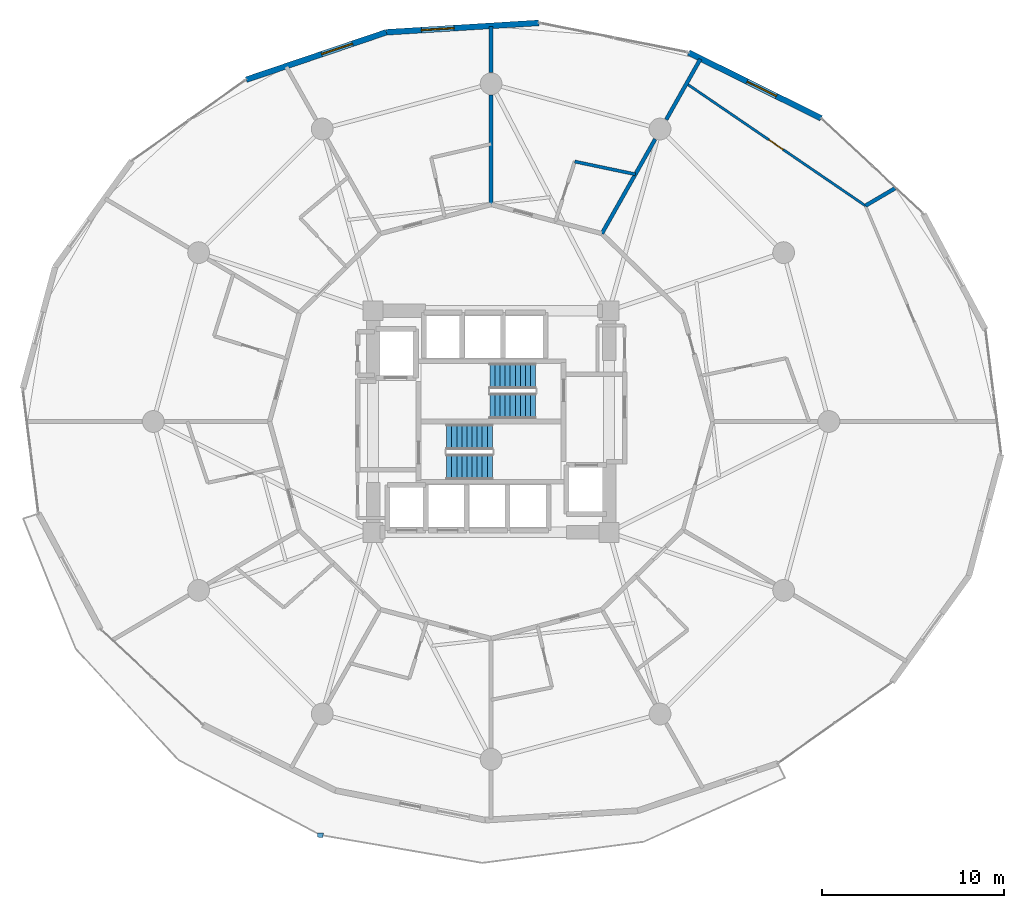
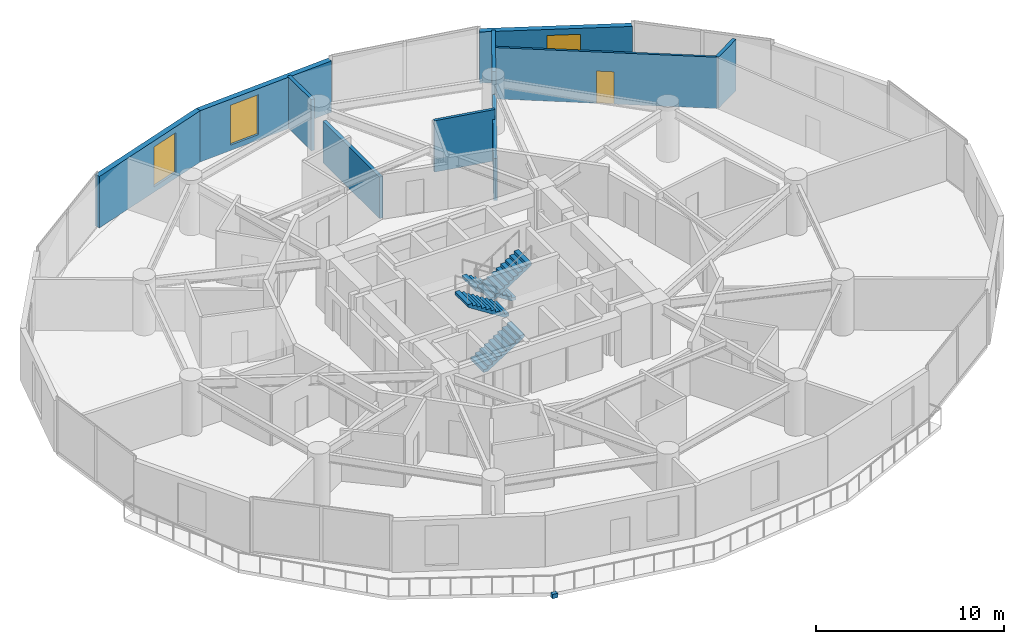
# One storey, part 23 of 26: 10 walls, 4 stair flights, 3 windows, 1 discrete accessory, 1 door, 4 openings, 2 elements without a shape of their own.
"""IFC4 building model written with IfcOpenShell, lengths in metres."""

from ifc_helpers import new_model, si_unit, direction, frame, frame_2d, origin, origin_2d, place, context, subcontext, project, spatial, polyline, rectangle, outline, extrude, material, layer, layer_set, type_object, element, fill, aggregate, save


model = new_model("IFC4")

# Units and contexts
model_context = context("Model", 3, precision=1e-05, world=origin(), true_north=direction((0.0, 1.0)))
body_context = subcontext(model_context, "Body", "Model", "MODEL_VIEW")
ifc_project = project(units=[si_unit("LENGTHUNIT", "METRE"), si_unit("AREAUNIT", "SQUARE_METRE"), si_unit("VOLUMEUNIT", "CUBIC_METRE"), si_unit("PLANEANGLEUNIT", "RADIAN"), si_unit("MASSUNIT", "GRAM", prefix="KILO")], contexts=[model_context])

# Site, building, storey
site_placement = place(None, origin())
site = spatial("IfcSite", under=ifc_project, at=site_placement, CompositionType="ELEMENT")
building_placement = place(site_placement, origin())
building = spatial("IfcBuilding", under=site, at=building_placement, Name="Solvirekh Grand Hotel", CompositionType="ELEMENT")
storey_placement = place(building_placement, frame((0.0, 0.0, 35.60009765625)))
storey = spatial("IfcBuildingStorey", under=building, at=storey_placement, Name="L07", CompositionType="ELEMENT", Elevation=35.60009765625)

# Wall, opening, window
ifc_material_1 = material(Name="Precast concrete C45/55", Category="concrete")
ifc_layer_1 = layer(ifc_material_1, 0.320068359375)
ifc_layer_set_1 = layer_set([ifc_layer_1], Name="Precast concrete C45/55")
wall_type_1 = type_object("IfcWallType", Name="ExtLobbyWall_RC320", PredefinedType="SOLIDWALL", material=ifc_layer_set_1)
wall_1_placement = place(storey_placement, frame((10.8759765625, 20.318115234375, 0.0), z_axis=(0.0, 0.0, 1.0), x_axis=(0.895818759339, -0.444419565743, 0.0)))
wall_1 = element("IfcWall", 1, at=wall_1_placement, inside=storey, type_object=wall_type_1, Name="L07 exterior structural wall chord 4", PredefinedType="SOLIDWALL", context=body_context, shape_type="SweptSolid", body=[
    extrude(rectangle(XDim=8.150146484375, YDim=0.320068359375, at=frame_2d((4.0751953125, 0.0))), origin(), (0.0, 0.0, 1.0), 3.33984375),
])
opening_1_placement = place(wall_1_placement, frame((3.593994140625, 0.0, 0.35009765625)))
opening_1 = element("IfcOpeningElement", 2, at=opening_1_placement, cuts=wall_1, Name="Opening W02", PredefinedType="OPENING", context=body_context, shape_type="SweptSolid", body=[
    extrude(rectangle(XDim=1.800048828125, YDim=2.60009765625, at=frame_2d((0.89990234375, 1.300048828125))), frame((0.0, 0.169921875, 0.0), z_axis=(0.0, -1.0, 0.0), x_axis=(1.0, 0.0, 0.0)), (0.0, 0.0, 1.0), 0.340087890625),
])
ifc_material_2 = material(Name="Low-E Tinted Bronze Laminated Glass", Category="aluminium")
window_type = type_object("IfcWindowType", Name="Win_LobbyExt_1800X2600", PartitioningType="SINGLE_PANEL", PredefinedType="WINDOW", material=ifc_material_2)
window_1_placement = place(opening_1_placement, origin())
window_1 = element("IfcWindow", 3, at=window_1_placement, inside=storey, type_object=window_type, Name="L07 panoramic bronze-framed window 4", OverallHeight=2.60009765625, OverallWidth=1.800048828125, PartitioningType="SINGLE_PANEL", PredefinedType="WINDOW", context=body_context, shape_type="SweptSolid", body=[
    extrude(rectangle(XDim=1.800048828125, YDim=2.60009765625, at=frame_2d((0.89990234375, 1.300048828125))), frame((0.0, 0.030029296875, 0.0), z_axis=(0.0, -1.0, 0.0), x_axis=(1.0, 0.0, 0.0)), (0.0, 0.0, 1.0), 0.06005859375),
])
fill(opening_1, window_1)

wall_2_placement = place(storey_placement, frame((-5.77294921875, 21.43505859375, 0.0), z_axis=(0.0, 0.0, 1.0), x_axis=(0.998117750792, 0.06132663005, 0.0)))
wall_2 = element("IfcWall", 4, at=wall_2_placement, inside=storey, type_object=wall_type_1, Name="L07 exterior structural wall chord 6", PredefinedType="SOLIDWALL", context=body_context, shape_type="SweptSolid", body=[
    extrude(rectangle(XDim=8.411865234375, YDim=0.320068359375, at=frame_2d((4.2060546875, 0.0))), origin(), (0.0, 0.0, 1.0), 3.33984375),
])
opening_2_placement = place(wall_2_placement, frame((1.94091796875, 0.0, 0.35009765625)))
opening_2 = element("IfcOpeningElement", 5, at=opening_2_placement, cuts=wall_2, Name="Opening W02", PredefinedType="OPENING", context=body_context, shape_type="SweptSolid", body=[
    extrude(rectangle(XDim=1.800048828125, YDim=2.60009765625, at=frame_2d((0.89990234375, 1.300048828125))), frame((0.0, 0.169921875, 0.0), z_axis=(0.0, -1.0, 0.0), x_axis=(1.0, 0.0, 0.0)), (0.0, 0.0, 1.0), 0.340087890625),
])
window_2_placement = place(opening_2_placement, origin())
window_2 = element("IfcWindow", 6, at=window_2_placement, inside=storey, type_object=window_type, Name="L07 panoramic bronze-framed window 6", OverallHeight=2.60009765625, OverallWidth=1.800048828125, PartitioningType="SINGLE_PANEL", PredefinedType="WINDOW", context=body_context, shape_type="SweptSolid", body=[
    extrude(rectangle(XDim=1.800048828125, YDim=2.60009765625, at=frame_2d((0.89990234375, 1.300048828125))), frame((0.0, 0.030029296875, 0.0), z_axis=(0.0, -1.0, 0.0), x_axis=(1.0, 0.0, 0.0)), (0.0, 0.0, 1.0), 0.06005859375),
])
fill(opening_2, window_2)

wall_3_placement = place(storey_placement, frame((-13.492919921875, 18.821044921875, 0.0), z_axis=(0.0, 0.0, 1.0), x_axis=(0.94717495877, 0.320717317085, 0.0)))
wall_3 = element("IfcWall", 7, at=wall_3_placement, inside=storey, type_object=wall_type_1, Name="L07 exterior structural wall chord 7", PredefinedType="SOLIDWALL", context=body_context, shape_type="SweptSolid", body=[
    extrude(rectangle(XDim=8.150634765625, YDim=0.320068359375, at=frame_2d((4.0751953125, 0.0))), origin(), (0.0, 0.0, 1.0), 3.33984375),
])
opening_3_placement = place(wall_3_placement, frame((4.388916015625, 0.0, 0.35009765625)))
opening_3 = element("IfcOpeningElement", 8, at=opening_3_placement, cuts=wall_3, Name="Opening W02", PredefinedType="OPENING", context=body_context, shape_type="SweptSolid", body=[
    extrude(rectangle(XDim=1.800048828125, YDim=2.60009765625, at=frame_2d((0.89990234375, 1.300048828125))), frame((0.0, 0.169921875, 0.0), z_axis=(0.0, -1.0, 0.0), x_axis=(1.0, 0.0, 0.0)), (0.0, 0.0, 1.0), 0.340087890625),
])
window_3_placement = place(opening_3_placement, origin())
window_3 = element("IfcWindow", 9, at=window_3_placement, inside=storey, type_object=window_type, Name="L07 panoramic bronze-framed window 7", OverallHeight=2.60009765625, OverallWidth=1.800048828125, PartitioningType="SINGLE_PANEL", PredefinedType="WINDOW", context=body_context, shape_type="SweptSolid", body=[
    extrude(rectangle(XDim=1.800048828125, YDim=2.60009765625, at=frame_2d((0.89990234375, 1.300048828125))), frame((0.0, 0.030029296875, 0.0), z_axis=(0.0, -1.0, 0.0), x_axis=(1.0, 0.0, 0.0)), (0.0, 0.0, 1.0), 0.06005859375),
])
fill(opening_3, window_3)

# Wall, opening, door
ifc_material_3 = material(Name="Acoustic Gypsum Partition Assembly")
ifc_layer_2 = layer(ifc_material_3, 0.135009765625)
ifc_layer_set_2 = layer_set([ifc_layer_2], Name="Acoustic Gypsum Partition Assembly")
wall_type_2 = type_object("IfcWallType", Name="Part_RoomInt_135", PredefinedType="PARTITIONING", material=ifc_layer_set_2)
wall_4_placement = place(storey_placement, frame((20.613037109375, 11.883056640625, 0.0), z_axis=(0.0, 0.0, 1.0), x_axis=(-0.825894658533, 0.563824452295, 0.0)))
wall_4 = element("IfcWall", 10, at=wall_4_placement, inside=storey, type_object=wall_type_2, Name="L07 Executive Suite 0901 Panorama Suite Study bedroom screen wall", PredefinedType="PARTITIONING", context=body_context, shape_type="SweptSolid", body=[
    extrude(rectangle(XDim=11.928955078125, YDim=0.135009765625, at=frame_2d((5.96435546875, 0.0))), origin(), (0.0, 0.0, 1.0), 3.33984375),
])
opening_4_placement = place(wall_4_placement, frame((5.489013671875, 0.0, 0.0)))
opening_4 = element("IfcOpeningElement", 11, at=opening_4_placement, cuts=wall_4, Name="Opening D10", PredefinedType="OPENING", context=body_context, shape_type="SweptSolid", body=[
    extrude(rectangle(XDim=0.949951171875, YDim=2.10009765625, at=frame_2d((0.47509765625, 1.050048828125))), frame((0.0, 0.07763671875, 0.0), z_axis=(0.0, -1.0, 0.0), x_axis=(1.0, 0.0, 0.0)), (0.0, 0.0, 1.0), 0.155029296875),
])
ifc_material_4 = material(Name="Anodized Bronze Aluminium 6063-T6", Category="aluminium")
door_type = type_object("IfcDoorType", Name="Door_RoomInt_950X2100", OperationType="NOTDEFINED", PredefinedType="DOOR", material=ifc_material_4)
door_placement = place(opening_4_placement, origin())
door = element("IfcDoor", 12, at=door_placement, inside=storey, type_object=door_type, Name="L07 Executive Suite 0901 Panorama Suite Study master bedroom door", OperationType="SINGLE_SWING_RIGHT", OverallHeight=2.10009765625, OverallWidth=0.949951171875, PredefinedType="DOOR", context=body_context, shape_type="SweptSolid", body=[
    extrude(rectangle(XDim=0.949951171875, YDim=2.10009765625, at=frame_2d((0.47509765625, 1.050048828125))), frame((0.0, 0.02490234375, 0.0), z_axis=(0.0, -1.0, 0.0), x_axis=(1.0, 0.0, 0.0)), (0.0, 0.0, 1.0), 0.050048828125),
])
fill(opening_4, door)

# Walls
ifc_layer_3 = layer(ifc_material_3, 0.2099609375)
ifc_layer_set_3 = layer_set([ifc_layer_3], Name="Acoustic Gypsum Partition Assembly")
wall_type_3 = type_object("IfcWallType", Name="Part_SuiteDemise_210", PredefinedType="PARTITIONING", material=ifc_layer_set_3)
wall_5_placement = place(storey_placement, frame((6.10009765625, 10.34912109375, 0.0), z_axis=(0.0, 0.0, 1.0), x_axis=(0.491458802648, 0.870900824032, 0.0)))
element("IfcWall", 13, at=wall_5_placement, inside=storey, type_object=wall_type_3, Name="L07 suite radial wall 3 (A)", PredefinedType="PARTITIONING", context=body_context, shape_type="SweptSolid", body=[
    extrude(rectangle(XDim=5.9697265625, YDim=0.2099609375, at=frame_2d((2.98486328125, 0.0))), origin(), (0.0, 0.0, 1.0), 2.706787109375),
])
wall_6_placement = place(storey_placement, frame((9.64208984375, 16.625, 0.0), z_axis=(0.0, 0.0, 1.0), x_axis=(0.491316217202, 0.870981271161, 0.0)))
element("IfcWall", 14, at=wall_6_placement, inside=storey, type_object=wall_type_3, Name="L07 suite radial wall 3 (B)", PredefinedType="PARTITIONING", context=body_context, shape_type="SweptSolid", body=[
    extrude(rectangle(XDim=3.822265625, YDim=0.2099609375, at=frame_2d((1.9111328125, 0.0))), origin(), (0.0, 0.0, 1.0), 3.33984375),
])
wall_7_placement = place(storey_placement, frame((0.0, 11.949951171875, 0.0), z_axis=(0.0, 0.0, 1.0), x_axis=(0.0, 1.0, 0.0)))
element("IfcWall", 15, at=wall_7_placement, inside=storey, type_object=wall_type_3, Name="L07 suite radial wall 4 (A)", PredefinedType="PARTITIONING", context=body_context, shape_type="SweptSolid", body=[
    extrude(rectangle(XDim=6.030029296875, YDim=0.2099609375, at=frame_2d((3.01513671875, 0.0))), origin(), (0.0, 0.0, 1.0), 2.706787109375),
])
wall_8_placement = place(storey_placement, frame((0.0, 19.219970703125, 0.0), z_axis=(0.0, 0.0, 1.0), x_axis=(0.0, 1.0, 0.0)))
element("IfcWall", 16, at=wall_8_placement, inside=storey, type_object=wall_type_3, Name="L07 suite radial wall 4 (B)", PredefinedType="PARTITIONING", context=body_context, shape_type="SweptSolid", body=[
    extrude(rectangle(XDim=2.530029296875, YDim=0.2099609375, at=frame_2d((1.26513671875, 0.0))), origin(), (0.0, 0.0, 1.0), 3.33984375),
])
wall_9_placement = place(storey_placement, frame((20.613037109375, 11.883056640625, 0.0), z_axis=(0.0, 0.0, 1.0), x_axis=(0.861901128596, 0.507076369519, 0.0)))
element("IfcWall", 17, at=wall_9_placement, inside=storey, type_object=wall_type_3, Name="L07 Executive Suite 0901 Living Room dividing partition 1", PredefinedType="PARTITIONING", context=body_context, shape_type="SweptSolid", body=[
    extrude(rectangle(XDim=1.89697265625, YDim=0.2099609375, at=frame_2d((0.948486328125, 0.0))), origin(), (0.0, 0.0, 1.0), 3.33984375),
])
ifc_layer_4 = layer(ifc_material_3, 0.175048828125)
ifc_layer_set_4 = layer_set([ifc_layer_4], Name="Acoustic Gypsum Partition Assembly")
wall_type_4 = type_object("IfcWallType", Name="Plumb_Ensuite_175", PredefinedType="PLUMBINGWALL", material=ifc_layer_set_4)
wall_10_placement = place(storey_placement, frame((7.943115234375, 13.614990234375, 0.0), z_axis=(0.0, 0.0, 1.0), x_axis=(-0.978691652986, 0.205335453283, 0.0)))
element("IfcWall", 18, at=wall_10_placement, inside=storey, type_object=wall_type_4, Name="L07 En-suite Bathroom 0902 outer plumbing wall", PredefinedType="PLUMBINGWALL", context=body_context, shape_type="SweptSolid", body=[
    extrude(rectangle(XDim=3.408935546875, YDim=0.175048828125, at=frame_2d((1.70458984375, 0.0))), origin(), (0.0, 0.0, 1.0), 3.33984375),
])

# Stair, stair flights
ifc_material_5 = material(Name="Concrete C40/50", Category="concrete")
stair_type = type_object("IfcStairType", Name="Stair_Core_1450", PredefinedType="HALF_TURN_STAIR", material=ifc_material_5)
stair_1_placement = place(storey_placement, origin())
stair_1 = element("IfcStair", 19, at=stair_1_placement, inside=storey, type_object=stair_type, Name="L07 Enclosed exit stair ST-1", PredefinedType="HALF_TURN_STAIR")
stair_flight_type = type_object("IfcStairFlightType", Name="Flight_Core_1450", PredefinedType="STRAIGHT", material=ifc_material_5)
stair_flight_1_placement = place(storey_placement, frame((-2.449951171875, -2.5, 0.0), z_axis=(0.0, 0.0, 1.0), x_axis=(1.0, 0.0, 0.0)))
stair_flight_1 = element("IfcStairFlight", 20, at=stair_flight_1_placement, type_object=stair_flight_type, Name="ST-1 flight 1", NumberOfRisers=10, NumberOfTreads=9, PredefinedType="STRAIGHT", RiserHeight=0.18, TreadLength=0.28, context=body_context, shape_type="SweptSolid", body=[
    extrude(outline(polyline([(0.0, 0.0), (0.0, 0.179931640625), (0.280029296875, 0.179931640625), (0.280029296875, 0.360107421875), (0.56005859375, 0.360107421875), (0.56005859375, 0.5400390625), (0.840087890625, 0.5400390625), (0.840087890625, 0.719970703125), (1.1201171875, 0.719970703125), (1.1201171875, 0.89990234375), (1.39990234375, 0.89990234375), (1.39990234375, 1.080078125), (1.679931640625, 1.080078125), (1.679931640625, 1.260009765625), (1.9599609375, 1.260009765625), (1.9599609375, 1.43994140625), (2.239990234375, 1.43994140625), (2.239990234375, 1.6201171875), (2.52001953125, 1.6201171875), (2.52001953125, 1.800048828125), (2.52001953125, 1.44189453125), (0.277099609375, 0.0), (0.0, 0.0)])), frame((0.0, 0.699951171875, 0.0), z_axis=(0.0, -1.0, 0.0), x_axis=(1.0, 0.0, 0.0)), (0.0, 0.0, 1.0), 1.39990234375),
])
stair_flight_2_placement = place(storey_placement, frame((0.070068359375, -0.85009765625, 1.7998046875), z_axis=(0.0, 0.0, 1.0), x_axis=(-1.0, 0.0, 0.0)))
stair_flight_2 = element("IfcStairFlight", 21, at=stair_flight_2_placement, type_object=stair_flight_type, Name="ST-1 flight 2", NumberOfRisers=10, NumberOfTreads=9, PredefinedType="STRAIGHT", RiserHeight=0.18, TreadLength=0.28, context=body_context, shape_type="SweptSolid", body=[
    extrude(outline(polyline([(0.0, 0.0), (0.0, 0.179931640625), (0.280029296875, 0.179931640625), (0.280029296875, 0.360107421875), (0.56005859375, 0.360107421875), (0.56005859375, 0.5400390625), (0.840087890625, 0.5400390625), (0.840087890625, 0.719970703125), (1.1201171875, 0.719970703125), (1.1201171875, 0.89990234375), (1.39990234375, 0.89990234375), (1.39990234375, 1.080078125), (1.679931640625, 1.080078125), (1.679931640625, 1.260009765625), (1.9599609375, 1.260009765625), (1.9599609375, 1.43994140625), (2.239990234375, 1.43994140625), (2.239990234375, 1.6201171875), (2.52001953125, 1.6201171875), (2.52001953125, 1.800048828125), (2.52001953125, 1.44189453125), (0.277099609375, 0.0), (0.0, 0.0)])), frame((0.0, 0.699951171875, 0.0), z_axis=(0.0, -1.0, 0.0), x_axis=(1.0, 0.0, 0.0)), (0.0, 0.0, 1.0), 1.39990234375),
])
aggregate(stair_1, [stair_flight_1, stair_flight_2])

stair_2_placement = place(storey_placement, origin())
stair_2 = element("IfcStair", 22, at=stair_2_placement, inside=storey, type_object=stair_type, Name="L07 Enclosed exit stair ST-2", PredefinedType="HALF_TURN_STAIR")
stair_flight_3_placement = place(storey_placement, frame((2.449951171875, 2.5, 0.0), z_axis=(0.0, 0.0, 1.0), x_axis=(-1.0, 0.0, 0.0)))
stair_flight_3 = element("IfcStairFlight", 23, at=stair_flight_3_placement, type_object=stair_flight_type, Name="ST-2 flight 1", NumberOfRisers=10, NumberOfTreads=9, PredefinedType="STRAIGHT", RiserHeight=0.18, TreadLength=0.28, context=body_context, shape_type="SweptSolid", body=[
    extrude(outline(polyline([(0.0, 0.0), (0.0, 0.179931640625), (0.280029296875, 0.179931640625), (0.280029296875, 0.360107421875), (0.56005859375, 0.360107421875), (0.56005859375, 0.5400390625), (0.840087890625, 0.5400390625), (0.840087890625, 0.719970703125), (1.1201171875, 0.719970703125), (1.1201171875, 0.89990234375), (1.39990234375, 0.89990234375), (1.39990234375, 1.080078125), (1.679931640625, 1.080078125), (1.679931640625, 1.260009765625), (1.9599609375, 1.260009765625), (1.9599609375, 1.43994140625), (2.239990234375, 1.43994140625), (2.239990234375, 1.6201171875), (2.52001953125, 1.6201171875), (2.52001953125, 1.800048828125), (2.52001953125, 1.44189453125), (0.277099609375, 0.0), (0.0, 0.0)])), frame((0.0, 0.699951171875, 0.0), z_axis=(0.0, -1.0, 0.0), x_axis=(1.0, 0.0, 0.0)), (0.0, 0.0, 1.0), 1.39990234375),
])
stair_flight_4_placement = place(storey_placement, frame((-0.070068359375, 0.85009765625, 1.7998046875), z_axis=(0.0, 0.0, 1.0), x_axis=(1.0, 0.0, 0.0)))
stair_flight_4 = element("IfcStairFlight", 24, at=stair_flight_4_placement, type_object=stair_flight_type, Name="ST-2 flight 2", NumberOfRisers=10, NumberOfTreads=9, PredefinedType="STRAIGHT", RiserHeight=0.18, TreadLength=0.28, context=body_context, shape_type="SweptSolid", body=[
    extrude(outline(polyline([(0.0, 0.0), (0.0, 0.179931640625), (0.280029296875, 0.179931640625), (0.280029296875, 0.360107421875), (0.56005859375, 0.360107421875), (0.56005859375, 0.5400390625), (0.840087890625, 0.5400390625), (0.840087890625, 0.719970703125), (1.1201171875, 0.719970703125), (1.1201171875, 0.89990234375), (1.39990234375, 0.89990234375), (1.39990234375, 1.080078125), (1.679931640625, 1.080078125), (1.679931640625, 1.260009765625), (1.9599609375, 1.260009765625), (1.9599609375, 1.43994140625), (2.239990234375, 1.43994140625), (2.239990234375, 1.6201171875), (2.52001953125, 1.6201171875), (2.52001953125, 1.800048828125), (2.52001953125, 1.44189453125), (0.277099609375, 0.0), (0.0, 0.0)])), frame((0.0, 0.699951171875, 0.0), z_axis=(0.0, -1.0, 0.0), x_axis=(1.0, 0.0, 0.0)), (0.0, 0.0, 1.0), 1.39990234375),
])
aggregate(stair_2, [stair_flight_3, stair_flight_4])

# Discrete accessory
ifc_material_6 = material(Name="Steel S355", Category="steel")
discrete_accessory_type = type_object("IfcDiscreteAccessoryType", Name="Acc_ThermalBracket", PredefinedType="BRACKET", material=ifc_material_6)
discrete_accessory_placement = place(storey_placement, frame((-9.407958984375, -22.781005859375, -0.2802734375), z_axis=(0.0, 0.0, 1.0), x_axis=(0.997801468292, -0.0662739004, 0.0)))
element("IfcDiscreteAccessory", 25, at=discrete_accessory_placement, inside=storey, type_object=discrete_accessory_type, Name="L07 balcony thermal-break bracket", PredefinedType="BRACKET", context=body_context, shape_type="SweptSolid", body=[
    extrude(rectangle(XDim=0.320068359375, YDim=0.239990234375, at=origin_2d()), origin(), (0.0, 0.0, 1.0), 0.280029296875),
])

save(model, "model.ifc")
